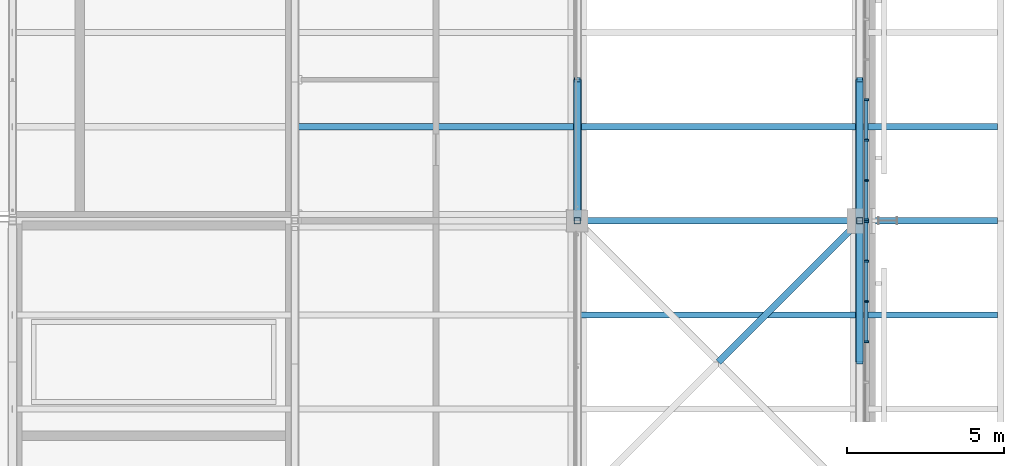
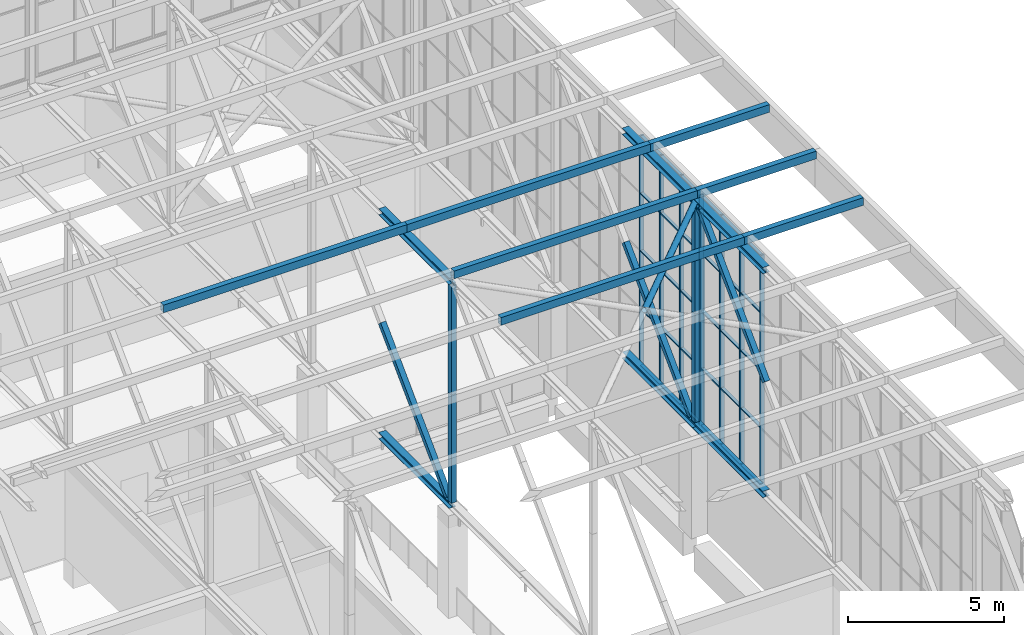
# One storey, part 107 of 646: 59 members, 2 elements without a shape of their own.
"""IFC4 building model written with IfcOpenShell, lengths in metres."""

from ifc_helpers import new_model, si_unit, direction, frame, origin, origin_2d, place, context, subcontext, project, spatial, rectangle, hollow_rectangle, hollow_circle, i_section, extrude, material, material_profile, profile_set, type_object, element, aggregate, save


model = new_model("IFC4")

# Units and contexts
model_context = context("Model", 3, precision=1e-05, world=origin(), true_north=direction((0.0, 1.0)))
body_context = subcontext(model_context, "Body", "Model", "MODEL_VIEW")
ifc_project = project(units=[si_unit("LENGTHUNIT", "METRE"), si_unit("AREAUNIT", "SQUARE_METRE"), si_unit("VOLUMEUNIT", "CUBIC_METRE"), si_unit("PLANEANGLEUNIT", "RADIAN"), si_unit("MASSUNIT", "GRAM", prefix="KILO")], contexts=[model_context])

# Site, building, storey
site_placement = place(None, origin())
site = spatial("IfcSite", under=ifc_project, at=site_placement, CompositionType="ELEMENT")
building_placement = place(site_placement, origin())
building = spatial("IfcBuilding", under=site, at=building_placement, Name="Silverbay Arena", CompositionType="ELEMENT")
storey_placement = place(building_placement, frame((0.0, 0.0, 33.5)))
storey = spatial("IfcBuildingStorey", under=building, at=storey_placement, Name="L05", CompositionType="ELEMENT", Elevation=33.5)

# Curtain wall, members
ifc_material_1 = material(Name="Aluminium framed glazing", Category="aluminium")
curtain_wall_type = type_object("IfcCurtainWallType", Name="Curtain wall clerestory 9000 x 9000", PredefinedType="NOTDEFINED", material=ifc_material_1)
curtain_wall_1_placement = place(storey_placement, origin())
curtain_wall_1 = element("IfcCurtainWall", 1, at=curtain_wall_1_placement, inside=storey, type_object=curtain_wall_type, Name="ROOF GABLE CLERESTORY CURTAIN WALL east bay 12", PredefinedType="NOTDEFINED")
ifc_material_2 = material(Name="Aluminium", Category="aluminium")
ifc_material_profile_1 = material_profile(ifc_material_2, rectangle(XDim=0.159912109375, YDim=0.06005859375, at=origin_2d()), Name="Mullion 60 x 160")
ifc_profile_set_1 = profile_set([ifc_material_profile_1], Name="Aluminium")
member_type_1 = type_object("IfcMemberType", Name="Mullion 60 x 160", PredefinedType="MULLION", material=ifc_profile_set_1)
member_1_placement = place(storey_placement, frame((207.2099609375, 113.142822265625, 4.0), z_axis=(0.0, 0.0, 1.0), x_axis=(-1.0, 0.0, 0.0)))
member_1 = element("IfcMember", 2, at=member_1_placement, type_object=member_type_1, Name="CW60 mullion 5", PredefinedType="MULLION", context=body_context, shape_type="SweptSolid", body=[
    extrude(rectangle(XDim=0.159912109375, YDim=0.06005859375, at=origin_2d()), origin(), (0.0, 0.0, 1.0), 9.0),
])
member_2_placement = place(storey_placement, frame((207.2099609375, 114.428466796875, 4.0), z_axis=(0.0, 0.0, 1.0), x_axis=(-1.0, 0.0, 0.0)))
member_2 = element("IfcMember", 3, at=member_2_placement, type_object=member_type_1, Name="CW60 mullion 6", PredefinedType="MULLION", context=body_context, shape_type="SweptSolid", body=[
    extrude(rectangle(XDim=0.159912109375, YDim=0.06005859375, at=origin_2d()), origin(), (0.0, 0.0, 1.0), 9.0),
])
member_3_placement = place(storey_placement, frame((207.2099609375, 115.71435546875, 4.0), z_axis=(0.0, 0.0, 1.0), x_axis=(-1.0, 0.0, 0.0)))
member_3 = element("IfcMember", 4, at=member_3_placement, type_object=member_type_1, Name="CW60 mullion 7", PredefinedType="MULLION", context=body_context, shape_type="SweptSolid", body=[
    extrude(rectangle(XDim=0.159912109375, YDim=0.06005859375, at=origin_2d()), origin(), (0.0, 0.0, 1.0), 9.0),
])
member_4_placement = place(storey_placement, frame((207.2099609375, 116.969970703125, 4.0), z_axis=(0.0, 0.0, 1.0), x_axis=(-1.0, 0.0, 0.0)))
member_4 = element("IfcMember", 5, at=member_4_placement, type_object=member_type_1, Name="CW60 mullion 8", PredefinedType="MULLION", context=body_context, shape_type="SweptSolid", body=[
    extrude(rectangle(XDim=0.159912109375, YDim=0.06005859375, at=origin_2d()), origin(), (0.0, 0.0, 1.0), 9.0),
])

curtain_wall_2_placement = place(storey_placement, origin())
curtain_wall_2 = element("IfcCurtainWall", 6, at=curtain_wall_2_placement, inside=storey, type_object=curtain_wall_type, Name="ROOF GABLE CLERESTORY CURTAIN WALL east bay 13", PredefinedType="NOTDEFINED")
member_5_placement = place(storey_placement, frame((207.2099609375, 117.030029296875, 4.0), z_axis=(0.0, 0.0, 1.0), x_axis=(-1.0, 0.0, 0.0)))
member_5 = element("IfcMember", 7, at=member_5_placement, type_object=member_type_1, Name="CW60 mullion 1", PredefinedType="MULLION", context=body_context, shape_type="SweptSolid", body=[
    extrude(rectangle(XDim=0.159912109375, YDim=0.06005859375, at=origin_2d()), origin(), (0.0, 0.0, 1.0), 9.0),
])
member_6_placement = place(storey_placement, frame((207.2099609375, 118.28564453125, 4.0), z_axis=(0.0, 0.0, 1.0), x_axis=(-1.0, 0.0, 0.0)))
member_6 = element("IfcMember", 8, at=member_6_placement, type_object=member_type_1, Name="CW60 mullion 2", PredefinedType="MULLION", context=body_context, shape_type="SweptSolid", body=[
    extrude(rectangle(XDim=0.159912109375, YDim=0.06005859375, at=origin_2d()), origin(), (0.0, 0.0, 1.0), 9.0),
])
member_7_placement = place(storey_placement, frame((207.2099609375, 119.571533203125, 4.0), z_axis=(0.0, 0.0, 1.0), x_axis=(-1.0, 0.0, 0.0)))
member_7 = element("IfcMember", 9, at=member_7_placement, type_object=member_type_1, Name="CW60 mullion 3", PredefinedType="MULLION", context=body_context, shape_type="SweptSolid", body=[
    extrude(rectangle(XDim=0.159912109375, YDim=0.06005859375, at=origin_2d()), origin(), (0.0, 0.0, 1.0), 9.0),
])
member_8_placement = place(storey_placement, frame((207.2099609375, 120.857177734375, 4.0), z_axis=(0.0, 0.0, 1.0), x_axis=(-1.0, 0.0, 0.0)))
member_8 = element("IfcMember", 10, at=member_8_placement, type_object=member_type_1, Name="CW60 mullion 4", PredefinedType="MULLION", context=body_context, shape_type="SweptSolid", body=[
    extrude(rectangle(XDim=0.159912109375, YDim=0.06005859375, at=origin_2d()), origin(), (0.0, 0.0, 1.0), 9.0),
])

# Members
ifc_material_3 = material(Name="Steel S355", Category="steel")
ifc_material_profile_2 = material_profile(ifc_material_3, hollow_circle(Radius=0.109619140625, WallThickness=0.00634765625, at=origin_2d()), Name="CHS 219.1x6.3")
ifc_profile_set_2 = profile_set([ifc_material_profile_2], Name="Steel S355")
member_type_2 = type_object("IfcMemberType", Name="Plan bracing CHS 219.1x6.3", PredefinedType="BRACE", material=ifc_profile_set_2)
member_9_placement = place(storey_placement, frame((202.5, 112.5, 12.873046875), z_axis=(0.707106781187, 0.707106781187, 0.0), x_axis=(-0.707106781187, 0.707106781187, 0.0)))
element("IfcMember", 11, at=member_9_placement, inside=storey, type_object=member_type_2, Name="ROOF BRACING top 23-24 panel 12 Ab", PredefinedType="BRACE", context=body_context, shape_type="SweptSolid", body=[
    extrude(hollow_circle(Radius=0.109619140625, WallThickness=0.00634765625, at=origin_2d()), origin(), (0.0, 0.0, 1.0), 6.364013671875),
])
ifc_material_4 = material(Name="Steel S355", Category="steel")
ifc_material_profile_3 = material_profile(ifc_material_4, hollow_rectangle(XDim=0.199951171875, YDim=0.300048828125, WallThickness=0.00634765625, at=origin_2d()), Name="RHS 300x200x6.3")
ifc_profile_set_3 = profile_set([ifc_material_profile_3], Name="Steel S355")
member_type_3 = type_object("IfcMemberType", Name="Purlin RHS 300x200x6.3", PredefinedType="PURLIN", material=ifc_profile_set_3)
member_10_placement = place(storey_placement, frame((189.0, 120.0, 13.14990234375), z_axis=(1.0, 0.0, 0.0), x_axis=(0.0, 1.0, 0.0)))
element("IfcMember", 12, at=member_10_placement, inside=storey, type_object=member_type_3, Name="ROOF PURLIN 22-23 line 38", PredefinedType="PURLIN", context=body_context, shape_type="SweptSolid", body=[
    extrude(hollow_rectangle(XDim=0.199951171875, YDim=0.300048828125, WallThickness=0.00634765625, at=origin_2d()), origin(), (0.0, 0.0, 1.0), 9.0),
])
ifc_material_5 = material(Name="Steel S355", Category="steel")
ifc_material_profile_4 = material_profile(ifc_material_5, hollow_rectangle(XDim=0.199951171875, YDim=0.300048828125, WallThickness=0.008056640625, at=origin_2d()), Name="RHS 300x200x8")
ifc_profile_set_4 = profile_set([ifc_material_profile_4], Name="Steel S355")
member_type_4 = type_object("IfcMemberType", Name="Purlin RHS 300x200x8", PredefinedType="PURLIN", material=ifc_profile_set_4)
for number, where, z_axis, x_axis, name in (
    (13, (198.0, 114.0, 13.14990234375), (1.0, 0.0, 0.0), (0.0, 1.0, 0.0), "ROOF PURLIN 23-24 line 36"),
    (14, (198.0, 117.0, 13.14990234375), (1.0, 0.0, 0.0), (0.0, 1.0, 0.0), "ROOF PURLIN 23-24 line 37"),
    (15, (198.0, 120.0, 13.14990234375), (1.0, 0.0, 0.0), (0.0, 1.0, 0.0), "ROOF PURLIN 23-24 line 38"),
):
    element("IfcMember", number, at=place(storey_placement, frame(where, z_axis=z_axis, x_axis=x_axis)), inside=storey, type_object=member_type_4, Name=name, PredefinedType="PURLIN", context=body_context, shape_type="SweptSolid", body=[
        extrude(hollow_rectangle(XDim=0.199951171875, YDim=0.300048828125, WallThickness=0.008056640625, at=origin_2d()), origin(), (0.0, 0.0, 1.0), 9.0),
    ])
for number, where, z_axis, x_axis, name in (
    (16, (211.39990234375, 114.0, 13.14990234375), (-1.0, 0.0, 0.0), (0.0, -1.0, 0.0), "ROOF PURLIN east eave line 36"),
    (17, (211.39990234375, 117.0, 13.14990234375), (-1.0, 0.0, 0.0), (0.0, -1.0, 0.0), "ROOF PURLIN east eave line 37"),
    (18, (211.39990234375, 120.0, 13.14990234375), (-1.0, 0.0, 0.0), (0.0, -1.0, 0.0), "ROOF PURLIN east eave line 38"),
):
    element("IfcMember", number, at=place(storey_placement, frame(where, z_axis=z_axis, x_axis=x_axis)), inside=storey, type_object=member_type_4, Name=name, PredefinedType="PURLIN", context=body_context, shape_type="SweptSolid", body=[
        extrude(hollow_rectangle(XDim=0.199951171875, YDim=0.300048828125, WallThickness=0.008056640625, at=origin_2d()), origin(), (0.0, 0.0, 1.0), 4.39990234375),
    ])
ifc_material_6 = material(Name="Steel S355", Category="steel")
ifc_material_profile_5 = material_profile(ifc_material_6, i_section(OverallWidth=0.254638671875, OverallDepth=0.254150390625, WebThickness=0.008544921875, FlangeThickness=0.01416015625, at=origin_2d()), Name="UC 254x254x73")
ifc_profile_set_5 = profile_set([ifc_material_profile_5], Name="Steel S355")
member_type_5 = type_object("IfcMemberType", Name="Short-span bottom chord UC 254x254x73", PredefinedType="CHORD", material=ifc_profile_set_5)
for number, where, z_axis, x_axis, name in (
    (19, (198.0, 117.0, 4.126953125), (0.0, 1.0, 0.0), (-1.0, 0.0, 0.0), "ROOF TRUSS 23 bottom chord 13a"),
    (20, (207.0, 112.5, 4.126953125), (0.0, 1.0, 0.0), (-1.0, 0.0, 0.0), "ROOF TRUSS 24 bottom chord 12b"),
    (21, (207.0, 117.0, 4.126953125), (0.0, 1.0, 0.0), (-1.0, 0.0, 0.0), "ROOF TRUSS 24 bottom chord 13a"),
):
    element("IfcMember", number, at=place(storey_placement, frame(where, z_axis=z_axis, x_axis=x_axis)), inside=storey, type_object=member_type_5, Name=name, PredefinedType="CHORD", context=body_context, shape_type="SweptSolid", body=[
        extrude(i_section(OverallWidth=0.254638671875, OverallDepth=0.254150390625, WebThickness=0.008544921875, FlangeThickness=0.01416015625, at=origin_2d()), origin(), (0.0, 0.0, 1.0), 4.5),
    ])
ifc_material_7 = material(Name="Steel S355", Category="steel")
ifc_material_profile_6 = material_profile(ifc_material_7, i_section(OverallWidth=0.254638671875, OverallDepth=0.254150390625, WebThickness=0.008544921875, FlangeThickness=0.01416015625, at=origin_2d()), Name="UC 254x254x73")
ifc_profile_set_6 = profile_set([ifc_material_profile_6], Name="Steel S355")
member_type_6 = type_object("IfcMemberType", Name="Short-span top chord UC 254x254x73", PredefinedType="CHORD", material=ifc_profile_set_6)
for number, where, z_axis, x_axis, name in (
    (22, (198.0, 117.0, 12.873046875), (0.0, 1.0, 0.0), (-1.0, 0.0, 0.0), "ROOF TRUSS 23 top chord 13a"),
    (23, (207.0, 112.5, 12.873046875), (0.0, 1.0, 0.0), (-1.0, 0.0, 0.0), "ROOF TRUSS 24 top chord 12b"),
    (24, (207.0, 117.0, 12.873046875), (0.0, 1.0, 0.0), (-1.0, 0.0, 0.0), "ROOF TRUSS 24 top chord 13a"),
):
    element("IfcMember", number, at=place(storey_placement, frame(where, z_axis=z_axis, x_axis=x_axis)), inside=storey, type_object=member_type_6, Name=name, PredefinedType="CHORD", context=body_context, shape_type="SweptSolid", body=[
        extrude(i_section(OverallWidth=0.254638671875, OverallDepth=0.254150390625, WebThickness=0.008544921875, FlangeThickness=0.01416015625, at=origin_2d()), origin(), (0.0, 0.0, 1.0), 4.5),
    ])
ifc_material_8 = material(Name="Steel S355", Category="steel")
ifc_material_profile_7 = material_profile(ifc_material_8, hollow_rectangle(XDim=0.199951171875, YDim=0.199951171875, WallThickness=0.008056640625, at=origin_2d()), Name="SHS 200x200x8")
ifc_profile_set_7 = profile_set([ifc_material_profile_7], Name="Steel S355")
member_type_7 = type_object("IfcMemberType", Name="Short-span truss diagonal SHS 200x200x8", PredefinedType="BRACE", material=ifc_profile_set_7)
for number, where, z_axis, x_axis, name in (
    (25, (198.0, 121.5, 8.5), (0.0, -0.70781724692, -0.706395600894), (1.0, 0.0, 0.0), "ROOF TRUSS 23 diagonal 13b"),
    (26, (207.0, 116.75439453125, 12.745849609375), (0.0, -0.70781724692, -0.706395600894), (1.0, 0.0, 0.0), "ROOF TRUSS 24 diagonal 12a"),
    (27, (207.0, 121.5, 8.5), (0.0, -0.70781724692, -0.706395600894), (1.0, 0.0, 0.0), "ROOF TRUSS 24 diagonal 13b"),
):
    element("IfcMember", number, at=place(storey_placement, frame(where, z_axis=z_axis, x_axis=x_axis)), inside=storey, type_object=member_type_7, Name=name, PredefinedType="BRACE", context=body_context, shape_type="SweptSolid", body=[
        extrude(hollow_rectangle(XDim=0.199951171875, YDim=0.199951171875, WallThickness=0.008056640625, at=origin_2d()), origin(), (0.0, 0.0, 1.0), 6.010498046875),
    ])
ifc_material_9 = material(Name="Steel S355", Category="steel")
ifc_material_profile_8 = material_profile(ifc_material_9, hollow_rectangle(XDim=0.199951171875, YDim=0.199951171875, WallThickness=0.008056640625, at=origin_2d()), Name="SHS 200x200x8")
ifc_profile_set_8 = profile_set([ifc_material_profile_8], Name="Steel S355")
member_type_8 = type_object("IfcMemberType", Name="Short-span truss vertical SHS 200x200x8", PredefinedType="STRUT", material=ifc_profile_set_8)
for number, where, z_axis, x_axis, name in (
    (28, (198.0, 117.0, 4.254150390625), (0.0, 0.0, 1.0), (1.0, 0.0, 0.0), "ROOF TRUSS 23 vertical 13a"),
    (29, (198.0, 117.0, 8.5), (0.0, 0.0, 1.0), (1.0, 0.0, 0.0), "ROOF TRUSS 23 vertical 13b"),
    (30, (207.0, 117.0, 4.254150390625), (0.0, 0.0, 1.0), (1.0, 0.0, 0.0), "ROOF TRUSS 24 vertical 13a"),
    (31, (207.0, 117.0, 8.5), (0.0, 0.0, 1.0), (1.0, 0.0, 0.0), "ROOF TRUSS 24 vertical 13b"),
):
    element("IfcMember", number, at=place(storey_placement, frame(where, z_axis=z_axis, x_axis=x_axis)), inside=storey, type_object=member_type_8, Name=name, PredefinedType="STRUT", context=body_context, shape_type="SweptSolid", body=[
        extrude(hollow_rectangle(XDim=0.199951171875, YDim=0.199951171875, WallThickness=0.008056640625, at=origin_2d()), origin(), (0.0, 0.0, 1.0), 4.245849609375),
    ])

# Member
ifc_material_10 = material(Name="Aluminium", Category="aluminium")
ifc_material_profile_9 = material_profile(ifc_material_10, rectangle(XDim=0.1201171875, YDim=0.050048828125, at=origin_2d()), Name="Transom 50 x 120")
ifc_profile_set_9 = profile_set([ifc_material_profile_9], Name="Aluminium")
member_type_9 = type_object("IfcMemberType", Name="Transom 50 x 120", PredefinedType="USERDEFINED", material=ifc_profile_set_9)
member_11_placement = place(storey_placement, frame((207.2099609375, 113.1728515625, 4.02490234375), z_axis=(0.0, 1.0, 0.0), x_axis=(-1.0, 0.0, 0.0)))
member_11 = element("IfcMember", 32, at=member_11_placement, type_object=member_type_9, Name="CW60 transom 5.1", ObjectType="TRANSOM", PredefinedType="USERDEFINED", context=body_context, shape_type="SweptSolid", body=[
    extrude(rectangle(XDim=0.1201171875, YDim=0.050048828125, at=origin_2d()), origin(), (0.0, 0.0, 1.0), 1.225830078125),
])

member_12_placement = place(storey_placement, frame((207.2099609375, 113.1728515625, 6.25), z_axis=(0.0, 1.0, 0.0), x_axis=(-1.0, 0.0, 0.0)))
member_12 = element("IfcMember", 33, at=member_12_placement, type_object=member_type_9, Name="CW60 transom 5.2", ObjectType="TRANSOM", PredefinedType="USERDEFINED", context=body_context, shape_type="SweptSolid", body=[
    extrude(rectangle(XDim=0.1201171875, YDim=0.050048828125, at=origin_2d()), origin(), (0.0, 0.0, 1.0), 1.225830078125),
])

member_13_placement = place(storey_placement, frame((207.2099609375, 113.1728515625, 8.5), z_axis=(0.0, 1.0, 0.0), x_axis=(-1.0, 0.0, 0.0)))
member_13 = element("IfcMember", 34, at=member_13_placement, type_object=member_type_9, Name="CW60 transom 5.3", ObjectType="TRANSOM", PredefinedType="USERDEFINED", context=body_context, shape_type="SweptSolid", body=[
    extrude(rectangle(XDim=0.1201171875, YDim=0.050048828125, at=origin_2d()), origin(), (0.0, 0.0, 1.0), 1.225830078125),
])

member_14_placement = place(storey_placement, frame((207.2099609375, 113.1728515625, 10.75), z_axis=(0.0, 1.0, 0.0), x_axis=(-1.0, 0.0, 0.0)))
member_14 = element("IfcMember", 35, at=member_14_placement, type_object=member_type_9, Name="CW60 transom 5.4", ObjectType="TRANSOM", PredefinedType="USERDEFINED", context=body_context, shape_type="SweptSolid", body=[
    extrude(rectangle(XDim=0.1201171875, YDim=0.050048828125, at=origin_2d()), origin(), (0.0, 0.0, 1.0), 1.225830078125),
])

member_15_placement = place(storey_placement, frame((207.2099609375, 113.1728515625, 12.97509765625), z_axis=(0.0, 1.0, 0.0), x_axis=(-1.0, 0.0, 0.0)))
member_15 = element("IfcMember", 36, at=member_15_placement, type_object=member_type_9, Name="CW60 transom 5.5", ObjectType="TRANSOM", PredefinedType="USERDEFINED", context=body_context, shape_type="SweptSolid", body=[
    extrude(rectangle(XDim=0.1201171875, YDim=0.050048828125, at=origin_2d()), origin(), (0.0, 0.0, 1.0), 1.225830078125),
])

member_16_placement = place(storey_placement, frame((207.2099609375, 114.45849609375, 4.02490234375), z_axis=(0.0, 1.0, 0.0), x_axis=(-1.0, 0.0, 0.0)))
member_16 = element("IfcMember", 37, at=member_16_placement, type_object=member_type_9, Name="CW60 transom 6.1", ObjectType="TRANSOM", PredefinedType="USERDEFINED", context=body_context, shape_type="SweptSolid", body=[
    extrude(rectangle(XDim=0.1201171875, YDim=0.050048828125, at=origin_2d()), origin(), (0.0, 0.0, 1.0), 1.225830078125),
])

member_17_placement = place(storey_placement, frame((207.2099609375, 114.45849609375, 6.25), z_axis=(0.0, 1.0, 0.0), x_axis=(-1.0, 0.0, 0.0)))
member_17 = element("IfcMember", 38, at=member_17_placement, type_object=member_type_9, Name="CW60 transom 6.2", ObjectType="TRANSOM", PredefinedType="USERDEFINED", context=body_context, shape_type="SweptSolid", body=[
    extrude(rectangle(XDim=0.1201171875, YDim=0.050048828125, at=origin_2d()), origin(), (0.0, 0.0, 1.0), 1.225830078125),
])

member_18_placement = place(storey_placement, frame((207.2099609375, 114.45849609375, 8.5), z_axis=(0.0, 1.0, 0.0), x_axis=(-1.0, 0.0, 0.0)))
member_18 = element("IfcMember", 39, at=member_18_placement, type_object=member_type_9, Name="CW60 transom 6.3", ObjectType="TRANSOM", PredefinedType="USERDEFINED", context=body_context, shape_type="SweptSolid", body=[
    extrude(rectangle(XDim=0.1201171875, YDim=0.050048828125, at=origin_2d()), origin(), (0.0, 0.0, 1.0), 1.225830078125),
])

member_19_placement = place(storey_placement, frame((207.2099609375, 114.45849609375, 10.75), z_axis=(0.0, 1.0, 0.0), x_axis=(-1.0, 0.0, 0.0)))
member_19 = element("IfcMember", 40, at=member_19_placement, type_object=member_type_9, Name="CW60 transom 6.4", ObjectType="TRANSOM", PredefinedType="USERDEFINED", context=body_context, shape_type="SweptSolid", body=[
    extrude(rectangle(XDim=0.1201171875, YDim=0.050048828125, at=origin_2d()), origin(), (0.0, 0.0, 1.0), 1.225830078125),
])

member_20_placement = place(storey_placement, frame((207.2099609375, 114.45849609375, 12.97509765625), z_axis=(0.0, 1.0, 0.0), x_axis=(-1.0, 0.0, 0.0)))
member_20 = element("IfcMember", 41, at=member_20_placement, type_object=member_type_9, Name="CW60 transom 6.5", ObjectType="TRANSOM", PredefinedType="USERDEFINED", context=body_context, shape_type="SweptSolid", body=[
    extrude(rectangle(XDim=0.1201171875, YDim=0.050048828125, at=origin_2d()), origin(), (0.0, 0.0, 1.0), 1.225830078125),
])

member_21_placement = place(storey_placement, frame((207.2099609375, 115.744384765625, 4.02490234375), z_axis=(0.0, 1.0, 0.0), x_axis=(-1.0, 0.0, 0.0)))
member_21 = element("IfcMember", 42, at=member_21_placement, type_object=member_type_9, Name="CW60 transom 7.1", ObjectType="TRANSOM", PredefinedType="USERDEFINED", context=body_context, shape_type="SweptSolid", body=[
    extrude(rectangle(XDim=0.1201171875, YDim=0.050048828125, at=origin_2d()), origin(), (0.0, 0.0, 1.0), 1.195556640625),
])

member_22_placement = place(storey_placement, frame((207.2099609375, 115.744384765625, 6.25), z_axis=(0.0, 1.0, 0.0), x_axis=(-1.0, 0.0, 0.0)))
member_22 = element("IfcMember", 43, at=member_22_placement, type_object=member_type_9, Name="CW60 transom 7.2", ObjectType="TRANSOM", PredefinedType="USERDEFINED", context=body_context, shape_type="SweptSolid", body=[
    extrude(rectangle(XDim=0.1201171875, YDim=0.050048828125, at=origin_2d()), origin(), (0.0, 0.0, 1.0), 1.195556640625),
])

member_23_placement = place(storey_placement, frame((207.2099609375, 115.744384765625, 8.5), z_axis=(0.0, 1.0, 0.0), x_axis=(-1.0, 0.0, 0.0)))
member_23 = element("IfcMember", 44, at=member_23_placement, type_object=member_type_9, Name="CW60 transom 7.3", ObjectType="TRANSOM", PredefinedType="USERDEFINED", context=body_context, shape_type="SweptSolid", body=[
    extrude(rectangle(XDim=0.1201171875, YDim=0.050048828125, at=origin_2d()), origin(), (0.0, 0.0, 1.0), 1.195556640625),
])

member_24_placement = place(storey_placement, frame((207.2099609375, 115.744384765625, 10.75), z_axis=(0.0, 1.0, 0.0), x_axis=(-1.0, 0.0, 0.0)))
member_24 = element("IfcMember", 45, at=member_24_placement, type_object=member_type_9, Name="CW60 transom 7.4", ObjectType="TRANSOM", PredefinedType="USERDEFINED", context=body_context, shape_type="SweptSolid", body=[
    extrude(rectangle(XDim=0.1201171875, YDim=0.050048828125, at=origin_2d()), origin(), (0.0, 0.0, 1.0), 1.195556640625),
])

member_25_placement = place(storey_placement, frame((207.2099609375, 115.744384765625, 12.97509765625), z_axis=(0.0, 1.0, 0.0), x_axis=(-1.0, 0.0, 0.0)))
member_25 = element("IfcMember", 46, at=member_25_placement, type_object=member_type_9, Name="CW60 transom 7.5", ObjectType="TRANSOM", PredefinedType="USERDEFINED", context=body_context, shape_type="SweptSolid", body=[
    extrude(rectangle(XDim=0.1201171875, YDim=0.050048828125, at=origin_2d()), origin(), (0.0, 0.0, 1.0), 1.195556640625),
])

aggregate(curtain_wall_1, [member_1, member_2, member_3, member_4, member_11, member_12, member_13, member_14, member_15, member_16, member_17, member_18, member_19, member_20, member_21, member_22, member_23, member_24, member_25])

member_26_placement = place(storey_placement, frame((207.2099609375, 117.06005859375, 4.02490234375), z_axis=(0.0, 1.0, 0.0), x_axis=(-1.0, 0.0, 0.0)))
member_26 = element("IfcMember", 47, at=member_26_placement, type_object=member_type_9, Name="CW60 transom 1.1", ObjectType="TRANSOM", PredefinedType="USERDEFINED", context=body_context, shape_type="SweptSolid", body=[
    extrude(rectangle(XDim=0.1201171875, YDim=0.050048828125, at=origin_2d()), origin(), (0.0, 0.0, 1.0), 1.195556640625),
])

member_27_placement = place(storey_placement, frame((207.2099609375, 117.06005859375, 6.25), z_axis=(0.0, 1.0, 0.0), x_axis=(-1.0, 0.0, 0.0)))
member_27 = element("IfcMember", 48, at=member_27_placement, type_object=member_type_9, Name="CW60 transom 1.2", ObjectType="TRANSOM", PredefinedType="USERDEFINED", context=body_context, shape_type="SweptSolid", body=[
    extrude(rectangle(XDim=0.1201171875, YDim=0.050048828125, at=origin_2d()), origin(), (0.0, 0.0, 1.0), 1.195556640625),
])

member_28_placement = place(storey_placement, frame((207.2099609375, 117.06005859375, 8.5), z_axis=(0.0, 1.0, 0.0), x_axis=(-1.0, 0.0, 0.0)))
member_28 = element("IfcMember", 49, at=member_28_placement, type_object=member_type_9, Name="CW60 transom 1.3", ObjectType="TRANSOM", PredefinedType="USERDEFINED", context=body_context, shape_type="SweptSolid", body=[
    extrude(rectangle(XDim=0.1201171875, YDim=0.050048828125, at=origin_2d()), origin(), (0.0, 0.0, 1.0), 1.195556640625),
])

member_29_placement = place(storey_placement, frame((207.2099609375, 117.06005859375, 10.75), z_axis=(0.0, 1.0, 0.0), x_axis=(-1.0, 0.0, 0.0)))
member_29 = element("IfcMember", 50, at=member_29_placement, type_object=member_type_9, Name="CW60 transom 1.4", ObjectType="TRANSOM", PredefinedType="USERDEFINED", context=body_context, shape_type="SweptSolid", body=[
    extrude(rectangle(XDim=0.1201171875, YDim=0.050048828125, at=origin_2d()), origin(), (0.0, 0.0, 1.0), 1.195556640625),
])

member_30_placement = place(storey_placement, frame((207.2099609375, 117.06005859375, 12.97509765625), z_axis=(0.0, 1.0, 0.0), x_axis=(-1.0, 0.0, 0.0)))
member_30 = element("IfcMember", 51, at=member_30_placement, type_object=member_type_9, Name="CW60 transom 1.5", ObjectType="TRANSOM", PredefinedType="USERDEFINED", context=body_context, shape_type="SweptSolid", body=[
    extrude(rectangle(XDim=0.1201171875, YDim=0.050048828125, at=origin_2d()), origin(), (0.0, 0.0, 1.0), 1.195556640625),
])

member_31_placement = place(storey_placement, frame((207.2099609375, 118.315673828125, 4.02490234375), z_axis=(0.0, 1.0, 0.0), x_axis=(-1.0, 0.0, 0.0)))
member_31 = element("IfcMember", 52, at=member_31_placement, type_object=member_type_9, Name="CW60 transom 2.1", ObjectType="TRANSOM", PredefinedType="USERDEFINED", context=body_context, shape_type="SweptSolid", body=[
    extrude(rectangle(XDim=0.1201171875, YDim=0.050048828125, at=origin_2d()), origin(), (0.0, 0.0, 1.0), 1.225830078125),
])

member_32_placement = place(storey_placement, frame((207.2099609375, 118.315673828125, 6.25), z_axis=(0.0, 1.0, 0.0), x_axis=(-1.0, 0.0, 0.0)))
member_32 = element("IfcMember", 53, at=member_32_placement, type_object=member_type_9, Name="CW60 transom 2.2", ObjectType="TRANSOM", PredefinedType="USERDEFINED", context=body_context, shape_type="SweptSolid", body=[
    extrude(rectangle(XDim=0.1201171875, YDim=0.050048828125, at=origin_2d()), origin(), (0.0, 0.0, 1.0), 1.225830078125),
])

member_33_placement = place(storey_placement, frame((207.2099609375, 118.315673828125, 8.5), z_axis=(0.0, 1.0, 0.0), x_axis=(-1.0, 0.0, 0.0)))
member_33 = element("IfcMember", 54, at=member_33_placement, type_object=member_type_9, Name="CW60 transom 2.3", ObjectType="TRANSOM", PredefinedType="USERDEFINED", context=body_context, shape_type="SweptSolid", body=[
    extrude(rectangle(XDim=0.1201171875, YDim=0.050048828125, at=origin_2d()), origin(), (0.0, 0.0, 1.0), 1.225830078125),
])

member_34_placement = place(storey_placement, frame((207.2099609375, 118.315673828125, 10.75), z_axis=(0.0, 1.0, 0.0), x_axis=(-1.0, 0.0, 0.0)))
member_34 = element("IfcMember", 55, at=member_34_placement, type_object=member_type_9, Name="CW60 transom 2.4", ObjectType="TRANSOM", PredefinedType="USERDEFINED", context=body_context, shape_type="SweptSolid", body=[
    extrude(rectangle(XDim=0.1201171875, YDim=0.050048828125, at=origin_2d()), origin(), (0.0, 0.0, 1.0), 1.225830078125),
])

member_35_placement = place(storey_placement, frame((207.2099609375, 118.315673828125, 12.97509765625), z_axis=(0.0, 1.0, 0.0), x_axis=(-1.0, 0.0, 0.0)))
member_35 = element("IfcMember", 56, at=member_35_placement, type_object=member_type_9, Name="CW60 transom 2.5", ObjectType="TRANSOM", PredefinedType="USERDEFINED", context=body_context, shape_type="SweptSolid", body=[
    extrude(rectangle(XDim=0.1201171875, YDim=0.050048828125, at=origin_2d()), origin(), (0.0, 0.0, 1.0), 1.225830078125),
])

member_36_placement = place(storey_placement, frame((207.2099609375, 119.601318359375, 4.02490234375), z_axis=(0.0, 1.0, 0.0), x_axis=(-1.0, 0.0, 0.0)))
member_36 = element("IfcMember", 57, at=member_36_placement, type_object=member_type_9, Name="CW60 transom 3.1", ObjectType="TRANSOM", PredefinedType="USERDEFINED", context=body_context, shape_type="SweptSolid", body=[
    extrude(rectangle(XDim=0.1201171875, YDim=0.050048828125, at=origin_2d()), origin(), (0.0, 0.0, 1.0), 1.225830078125),
])

member_37_placement = place(storey_placement, frame((207.2099609375, 119.601318359375, 6.25), z_axis=(0.0, 1.0, 0.0), x_axis=(-1.0, 0.0, 0.0)))
member_37 = element("IfcMember", 58, at=member_37_placement, type_object=member_type_9, Name="CW60 transom 3.2", ObjectType="TRANSOM", PredefinedType="USERDEFINED", context=body_context, shape_type="SweptSolid", body=[
    extrude(rectangle(XDim=0.1201171875, YDim=0.050048828125, at=origin_2d()), origin(), (0.0, 0.0, 1.0), 1.225830078125),
])

member_38_placement = place(storey_placement, frame((207.2099609375, 119.601318359375, 8.5), z_axis=(0.0, 1.0, 0.0), x_axis=(-1.0, 0.0, 0.0)))
member_38 = element("IfcMember", 59, at=member_38_placement, type_object=member_type_9, Name="CW60 transom 3.3", ObjectType="TRANSOM", PredefinedType="USERDEFINED", context=body_context, shape_type="SweptSolid", body=[
    extrude(rectangle(XDim=0.1201171875, YDim=0.050048828125, at=origin_2d()), origin(), (0.0, 0.0, 1.0), 1.225830078125),
])

member_39_placement = place(storey_placement, frame((207.2099609375, 119.601318359375, 10.75), z_axis=(0.0, 1.0, 0.0), x_axis=(-1.0, 0.0, 0.0)))
member_39 = element("IfcMember", 60, at=member_39_placement, type_object=member_type_9, Name="CW60 transom 3.4", ObjectType="TRANSOM", PredefinedType="USERDEFINED", context=body_context, shape_type="SweptSolid", body=[
    extrude(rectangle(XDim=0.1201171875, YDim=0.050048828125, at=origin_2d()), origin(), (0.0, 0.0, 1.0), 1.225830078125),
])

member_40_placement = place(storey_placement, frame((207.2099609375, 119.601318359375, 12.97509765625), z_axis=(0.0, 1.0, 0.0), x_axis=(-1.0, 0.0, 0.0)))
member_40 = element("IfcMember", 61, at=member_40_placement, type_object=member_type_9, Name="CW60 transom 3.5", ObjectType="TRANSOM", PredefinedType="USERDEFINED", context=body_context, shape_type="SweptSolid", body=[
    extrude(rectangle(XDim=0.1201171875, YDim=0.050048828125, at=origin_2d()), origin(), (0.0, 0.0, 1.0), 1.225830078125),
])

aggregate(curtain_wall_2, [member_5, member_6, member_7, member_8, member_26, member_27, member_28, member_29, member_30, member_31, member_32, member_33, member_34, member_35, member_36, member_37, member_38, member_39, member_40])

save(model, "model.ifc")
